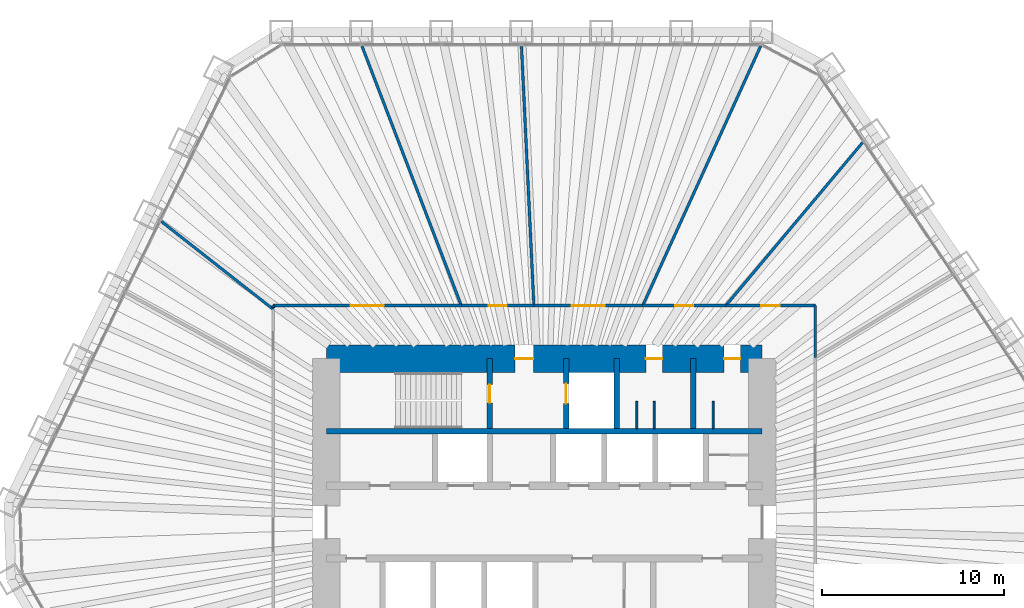
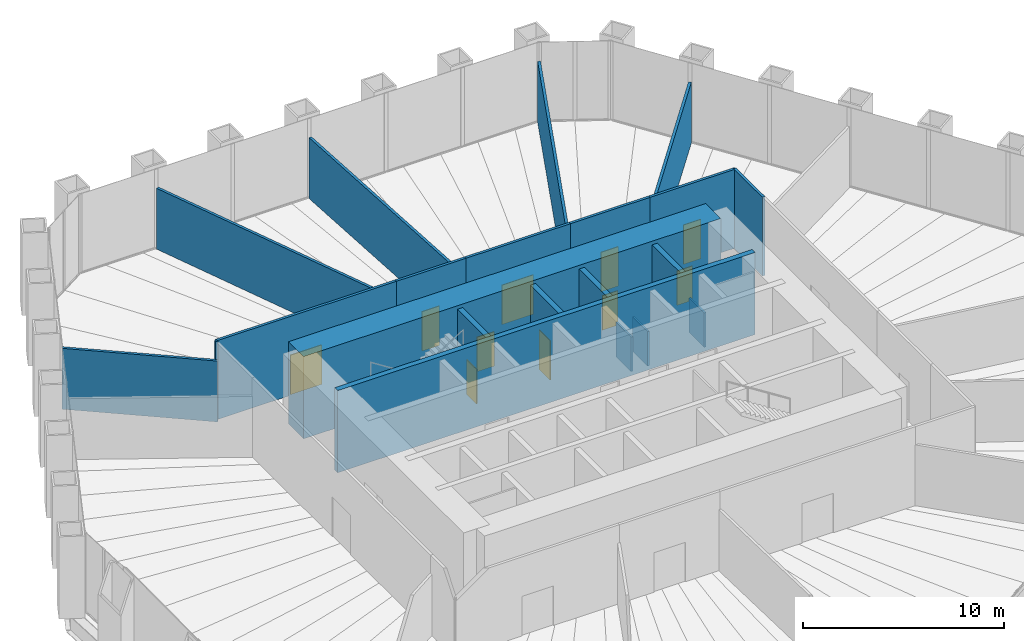
# One storey, part 12 of 14: 21 walls, 10 doors, 10 openings.
"""IFC4 building model written with IfcOpenShell, lengths in metres."""

from ifc_helpers import new_model, si_unit, direction, frame, frame_2d, origin, place, context, subcontext, project, spatial, rectangle, extrude, material, layer, layer_set, type_object, element, fill, save


model = new_model("IFC4")

# Units and contexts
model_context = context("Model", 3, precision=1e-05, world=origin(), true_north=direction((0.0, 1.0)))
body_context = subcontext(model_context, "Body", "Model", "MODEL_VIEW")
ifc_project = project(units=[si_unit("LENGTHUNIT", "METRE"), si_unit("AREAUNIT", "SQUARE_METRE"), si_unit("VOLUMEUNIT", "CUBIC_METRE"), si_unit("PLANEANGLEUNIT", "RADIAN"), si_unit("MASSUNIT", "GRAM", prefix="KILO")], contexts=[model_context])

# Site, building, storey
site_placement = place(None, origin())
site = spatial("IfcSite", under=ifc_project, at=site_placement, CompositionType="ELEMENT")
building_placement = place(site_placement, origin())
building = spatial("IfcBuilding", under=site, at=building_placement, Name="Qingtian Harvest Tower", CompositionType="ELEMENT")
storey_placement = place(building_placement, frame((0.0, 0.0, 52.0)))
storey = spatial("IfcBuildingStorey", under=building, at=storey_placement, Name="L10", CompositionType="ELEMENT", Elevation=52.0)

# Wall
ifc_material_1 = material(Name="Concrete fc' 70 MPa", Category="concrete")
ifc_layer_1 = layer(ifc_material_1, 0.300048828125)
ifc_layer_set_1 = layer_set([ifc_layer_1], Name="Core inner wall RC5 300")
wall_type_1 = type_object("IfcWallType", Name="Core inner wall RC5 300", PredefinedType="SHEAR", material=ifc_layer_set_1)
wall_1_placement = place(storey_placement, frame((-12.0, 5.0, 0.0), z_axis=(0.0, 0.0, 1.0), x_axis=(1.0, 0.0, 0.0)))
element("IfcWall", 1, at=wall_1_placement, inside=storey, type_object=wall_type_1, Name="Core wall IN5 L10", PredefinedType="SHEAR", context=body_context, shape_type="SweptSolid", body=[
    extrude(rectangle(XDim=24.0, YDim=0.300048828125, at=frame_2d((12.0, 0.0))), origin(), (0.0, 0.0, 1.0), 5.0),
])

# Wall, opening, door
ifc_material_2 = material(Name="Precast concrete shaft panel", Category="concrete")
ifc_layer_2 = layer(ifc_material_2, 0.300048828125)
ifc_layer_set_2 = layer_set([ifc_layer_2], Name="Core shaft partition SW1 300")
wall_type_2 = type_object("IfcWallType", Name="Core shaft partition SW1 300", PredefinedType="PARTITIONING", material=ifc_layer_set_2)
wall_2_placement = place(storey_placement, frame((-3.0, 5.14990234375, 0.0), z_axis=(0.0, 0.0, 1.0), x_axis=(0.0, 1.0, 0.0)))
wall_2 = element("IfcWall", 2, at=wall_2_placement, inside=storey, type_object=wall_type_2, Name="Core shaft partition XN1 L10", PredefinedType="PARTITIONING", context=body_context, shape_type="SweptSolid", body=[
    extrude(rectangle(XDim=3.85009765625, YDim=0.300048828125, at=frame_2d((1.925048828125, 0.0))), origin(), (0.0, 0.0, 1.0), 4.780029296875),
])
opening_1_placement = place(wall_2_placement, frame((1.425048828125, 0.0, 0.0)))
opening_1 = element("IfcOpeningElement", 3, at=opening_1_placement, cuts=wall_2, Name="Opening FD1", PredefinedType="OPENING", context=body_context, shape_type="SweptSolid", body=[
    extrude(rectangle(XDim=1.0, YDim=2.10009765625, at=frame_2d((0.5, 1.050048828125))), frame((0.0, 0.159912109375, 0.0), z_axis=(0.0, -1.0, 0.0), x_axis=(1.0, 0.0, 0.0)), (0.0, 0.0, 1.0), 0.320068359375),
])
ifc_material_3 = material(Name="Steel-faced door leaf", Category="steel")
door_type_1 = type_object("IfcDoorType", Name="Fire door FD1 single 1 HR", OperationType="SINGLE_SWING_LEFT", PredefinedType="DOOR", material=ifc_material_3)
door_1_placement = place(opening_1_placement, origin())
door_1 = element("IfcDoor", 4, at=door_1_placement, inside=storey, type_object=door_type_1, Name="S1 door L10", OperationType="SINGLE_SWING_RIGHT", OverallHeight=2.10009765625, OverallWidth=1.0, PredefinedType="DOOR", context=body_context, shape_type="SweptSolid", body=[
    extrude(rectangle(XDim=1.0, YDim=2.10009765625, at=frame_2d((0.5, 1.050048828125))), frame((0.0, 0.02490234375, 0.0), z_axis=(0.0, -1.0, 0.0), x_axis=(1.0, 0.0, 0.0)), (0.0, 0.0, 1.0), 0.050048828125),
])
fill(opening_1, door_1)

wall_3_placement = place(storey_placement, frame((1.199951171875, 5.14990234375, 0.0), z_axis=(0.0, 0.0, 1.0), x_axis=(0.0, 1.0, 0.0)))
wall_3 = element("IfcWall", 5, at=wall_3_placement, inside=storey, type_object=wall_type_2, Name="Core shaft partition XN2 L10", PredefinedType="PARTITIONING", context=body_context, shape_type="SweptSolid", body=[
    extrude(rectangle(XDim=3.85009765625, YDim=0.300048828125, at=frame_2d((1.925048828125, 0.0))), origin(), (0.0, 0.0, 1.0), 4.780029296875),
])
opening_2_placement = place(wall_3_placement, frame((1.375, 0.0, 0.0)))
opening_2 = element("IfcOpeningElement", 6, at=opening_2_placement, cuts=wall_3, Name="Opening LD1", PredefinedType="OPENING", context=body_context, shape_type="SweptSolid", body=[
    extrude(rectangle(XDim=1.10009765625, YDim=2.39990234375, at=frame_2d((0.550048828125, 1.199951171875))), frame((0.0, 0.159912109375, 0.0), z_axis=(0.0, -1.0, 0.0), x_axis=(1.0, 0.0, 0.0)), (0.0, 0.0, 1.0), 0.320068359375),
])
ifc_material_4 = material(Name="Stainless steel lift landing door", Category="steel")
door_type_2 = type_object("IfcDoorType", Name="Lift landing door LD1 1 HR", OperationType="DOUBLE_DOOR_SLIDING", PredefinedType="DOOR", material=ifc_material_4)
door_2_placement = place(opening_2_placement, origin())
door_2 = element("IfcDoor", 7, at=door_2_placement, inside=storey, type_object=door_type_2, Name="FL1 landing door L10", OperationType="DOUBLE_DOOR_SLIDING", OverallHeight=2.39990234375, OverallWidth=1.10009765625, PredefinedType="DOOR", context=body_context, shape_type="SweptSolid", body=[
    extrude(rectangle(XDim=1.10009765625, YDim=2.39990234375, at=frame_2d((0.550048828125, 1.199951171875))), frame((0.0, 0.02490234375, 0.0), z_axis=(0.0, -1.0, 0.0), x_axis=(1.0, 0.0, 0.0)), (0.0, 0.0, 1.0), 0.050048828125),
])
fill(opening_2, door_2)

# Walls
for number, where, z_axis, x_axis, name in (
    (8, (4.0, 5.14990234375, 0.0), (0.0, 0.0, 1.0), (0.0, 1.0, 0.0), "Core shaft partition XN3 L10"),
    (9, (8.199951171875, 5.14990234375, 0.0), (0.0, 0.0, 1.0), (0.0, 1.0, 0.0), "Core shaft partition XN4 L10"),
):
    element("IfcWall", number, at=place(storey_placement, frame(where, z_axis=z_axis, x_axis=x_axis)), inside=storey, type_object=wall_type_2, Name=name, PredefinedType="PARTITIONING", context=body_context, shape_type="SweptSolid", body=[
        extrude(rectangle(XDim=3.85009765625, YDim=0.300048828125, at=frame_2d((1.925048828125, 0.0))), origin(), (0.0, 0.0, 1.0), 4.780029296875),
    ])

# Wall, openings, doors
ifc_material_5 = material(Name="Concrete fc' 70 MPa", Category="concrete")
ifc_layer_3 = layer(ifc_material_5, 1.5)
ifc_layer_set_3 = layer_set([ifc_layer_3], Name="Core wall RC1 1500")
wall_type_3 = type_object("IfcWallType", Name="Core wall RC1 1500", PredefinedType="SHEAR", material=ifc_layer_set_3)
wall_4_placement = place(storey_placement, frame((-12.0, 9.0, 0.0), z_axis=(0.0, 0.0, 1.0), x_axis=(1.0, 0.0, 0.0)))
wall_4 = element("IfcWall", 10, at=wall_4_placement, inside=storey, type_object=wall_type_3, Name="Core wall CN L10", PredefinedType="SHEAR", context=body_context, shape_type="SweptSolid", body=[
    extrude(rectangle(XDim=24.0, YDim=1.5, at=frame_2d((12.0, 0.0))), origin(), (0.0, 0.0, 1.0), 5.0),
])
opening_3_placement = place(wall_4_placement, frame((10.39990234375, 0.0, 0.0)))
opening_3 = element("IfcOpeningElement", 11, at=opening_3_placement, cuts=wall_4, Name="Opening FD1", PredefinedType="OPENING", context=body_context, shape_type="SweptSolid", body=[
    extrude(rectangle(XDim=1.0, YDim=2.10009765625, at=frame_2d((0.5, 1.050048828125))), frame((0.0, 0.760009765625, 0.0), z_axis=(0.0, -1.0, 0.0), x_axis=(1.0, 0.0, 0.0)), (0.0, 0.0, 1.0), 1.52001953125),
])
opening_4_placement = place(wall_4_placement, frame((17.60009765625, 0.0, 0.0)))
opening_4 = element("IfcOpeningElement", 12, at=opening_4_placement, cuts=wall_4, Name="Opening D1", PredefinedType="OPENING", context=body_context, shape_type="SweptSolid", body=[
    extrude(rectangle(XDim=0.89990234375, YDim=2.10009765625, at=frame_2d((0.449951171875, 1.050048828125))), frame((0.0, 0.760009765625, 0.0), z_axis=(0.0, -1.0, 0.0), x_axis=(1.0, 0.0, 0.0)), (0.0, 0.0, 1.0), 1.52001953125),
])
opening_5_placement = place(wall_4_placement, frame((21.89990234375, 0.0, 0.0)))
opening_5 = element("IfcOpeningElement", 13, at=opening_5_placement, cuts=wall_4, Name="Opening D1", PredefinedType="OPENING", context=body_context, shape_type="SweptSolid", body=[
    extrude(rectangle(XDim=0.89990234375, YDim=2.10009765625, at=frame_2d((0.449951171875, 1.050048828125))), frame((0.0, 0.760009765625, 0.0), z_axis=(0.0, -1.0, 0.0), x_axis=(1.0, 0.0, 0.0)), (0.0, 0.0, 1.0), 1.52001953125),
])
door_3_placement = place(opening_3_placement, origin())
door_3 = element("IfcDoor", 14, at=door_3_placement, inside=storey, type_object=door_type_1, Name="V1 door L10", OperationType="SINGLE_SWING_RIGHT", OverallHeight=2.10009765625, OverallWidth=1.0, PredefinedType="DOOR", context=body_context, shape_type="SweptSolid", body=[
    extrude(rectangle(XDim=1.0, YDim=2.10009765625, at=frame_2d((0.5, 1.050048828125))), frame((0.0, 0.02490234375, 0.0), z_axis=(0.0, -1.0, 0.0), x_axis=(1.0, 0.0, 0.0)), (0.0, 0.0, 1.0), 0.050048828125),
])
fill(opening_3, door_3)
ifc_material_6 = material(Name="Laminated timber door leaf", Category="wood")
door_type_3 = type_object("IfcDoorType", Name="Toilet door D1 single", OperationType="SINGLE_SWING_LEFT", PredefinedType="DOOR", material=ifc_material_6)
door_4_placement = place(opening_4_placement, origin())
door_4 = element("IfcDoor", 15, at=door_4_placement, inside=storey, type_object=door_type_3, Name="WCM door L10", OperationType="SINGLE_SWING_LEFT", OverallHeight=2.10009765625, OverallWidth=0.89990234375, PredefinedType="DOOR", context=body_context, shape_type="SweptSolid", body=[
    extrude(rectangle(XDim=0.89990234375, YDim=2.10009765625, at=frame_2d((0.449951171875, 1.050048828125))), frame((0.0, 0.02490234375, 0.0), z_axis=(0.0, -1.0, 0.0), x_axis=(1.0, 0.0, 0.0)), (0.0, 0.0, 1.0), 0.050048828125),
])
fill(opening_4, door_4)
door_5_placement = place(opening_5_placement, origin())
door_5 = element("IfcDoor", 16, at=door_5_placement, inside=storey, type_object=door_type_3, Name="WCF door L10", OperationType="SINGLE_SWING_LEFT", OverallHeight=2.10009765625, OverallWidth=0.89990234375, PredefinedType="DOOR", context=body_context, shape_type="SweptSolid", body=[
    extrude(rectangle(XDim=0.89990234375, YDim=2.10009765625, at=frame_2d((0.449951171875, 1.050048828125))), frame((0.0, 0.02490234375, 0.0), z_axis=(0.0, -1.0, 0.0), x_axis=(1.0, 0.0, 0.0)), (0.0, 0.0, 1.0), 0.050048828125),
])
fill(opening_5, door_5)

# Walls
ifc_material_7 = material(Name="Gypsum board on steel studs", Category="steel")
ifc_layer_4 = layer(ifc_material_7, 0.14990234375)
ifc_layer_set_4 = layer_set([ifc_layer_4], Name="Partition PT1 150")
wall_type_4 = type_object("IfcWallType", Name="Partition PT1 150", PredefinedType="PARTITIONING", material=ifc_layer_set_4)
wall_5_placement = place(storey_placement, frame((-21.077392578125, 16.556640625, 0.0), z_axis=(0.0, 0.0, 1.0), x_axis=(0.78639413325, -0.617725074115, 0.0)))
element("IfcWall", 17, at=wall_5_placement, inside=storey, type_object=wall_type_4, Name="Packing room wall L10", PredefinedType="PARTITIONING", context=body_context, shape_type="SweptSolid", body=[
    extrude(rectangle(XDim=7.823486328125, YDim=0.14990234375, at=frame_2d((3.91162109375, 0.0))), origin(), (0.0, 0.0, 1.0), 3.699951171875),
])
wall_6_placement = place(storey_placement, frame((-14.925048828125, 11.819091796875, 0.0), z_axis=(0.0, 0.0, 1.0), x_axis=(0.0, 1.0, 0.0)))
element("IfcWall", 18, at=wall_6_placement, inside=storey, type_object=wall_type_4, Name="Packing room wall L10", PredefinedType="PARTITIONING", context=body_context, shape_type="SweptSolid", body=[
    extrude(rectangle(XDim=0.10595703125, YDim=0.14990234375, at=frame_2d((0.052978515625, 0.0))), origin(), (0.0, 0.0, 1.0), 4.800048828125),
])

# Wall, opening, door
wall_7_placement = place(storey_placement, frame((-14.925048828125, 11.925048828125, 0.0), z_axis=(0.0, 0.0, 1.0), x_axis=(1.0, 0.0, 0.0)))
wall_7 = element("IfcWall", 19, at=wall_7_placement, inside=storey, type_object=wall_type_4, Name="Packing room wall L10", PredefinedType="PARTITIONING", context=body_context, shape_type="SweptSolid", body=[
    extrude(rectangle(XDim=10.360595703125, YDim=0.14990234375, at=frame_2d((5.18017578125, 0.0))), origin(), (0.0, 0.0, 1.0), 4.800048828125),
])
opening_6_placement = place(wall_7_placement, frame((4.2802734375, 0.0, 0.0)))
opening_6 = element("IfcOpeningElement", 20, at=opening_6_placement, cuts=wall_7, Name="Opening D3", PredefinedType="OPENING", context=body_context, shape_type="SweptSolid", body=[
    extrude(rectangle(XDim=1.800048828125, YDim=2.39990234375, at=frame_2d((0.89990234375, 1.199951171875))), frame((0.0, 0.0849609375, 0.0), z_axis=(0.0, -1.0, 0.0), x_axis=(1.0, 0.0, 0.0)), (0.0, 0.0, 1.0), 0.169921875),
])
ifc_material_8 = material(Name="Laminated timber door leaf", Category="wood")
door_type_4 = type_object("IfcDoorType", Name="Room door D3 double", OperationType="DOUBLE_DOOR_DOUBLE_SWING", PredefinedType="DOOR", material=ifc_material_8)
door_6_placement = place(opening_6_placement, origin())
door_6 = element("IfcDoor", 21, at=door_6_placement, inside=storey, type_object=door_type_4, Name="Packing room door L10", OperationType="DOUBLE_DOOR_DOUBLE_SWING", OverallHeight=2.39990234375, OverallWidth=1.800048828125, PredefinedType="DOOR", context=body_context, shape_type="SweptSolid", body=[
    extrude(rectangle(XDim=1.800048828125, YDim=2.39990234375, at=frame_2d((0.89990234375, 1.199951171875))), frame((0.0, 0.02490234375, 0.0), z_axis=(0.0, -1.0, 0.0), x_axis=(1.0, 0.0, 0.0)), (0.0, 0.0, 1.0), 0.050048828125),
])
fill(opening_6, door_6)

# Wall
wall_8_placement = place(storey_placement, frame((-10.031005859375, 26.20654296875, 0.0), z_axis=(0.0, 0.0, 1.0), x_axis=(0.357478701909, -0.933921290946, 0.0)))
element("IfcWall", 22, at=wall_8_placement, inside=storey, type_object=wall_type_4, Name="Seed store wall L10", PredefinedType="PARTITIONING", context=body_context, shape_type="SweptSolid", body=[
    extrude(rectangle(XDim=15.2919921875, YDim=0.14990234375, at=frame_2d((7.64599609375, 0.0))), origin(), (0.0, 0.0, 1.0), 3.699951171875),
])

# Wall, opening, door
wall_9_placement = place(storey_placement, frame((-4.564453125, 11.925048828125, 0.0), z_axis=(0.0, 0.0, 1.0), x_axis=(1.0, 0.0, 0.0)))
wall_9 = element("IfcWall", 23, at=wall_9_placement, inside=storey, type_object=wall_type_4, Name="Seed store wall L10", PredefinedType="PARTITIONING", context=body_context, shape_type="SweptSolid", body=[
    extrude(rectangle(XDim=3.994140625, YDim=0.14990234375, at=frame_2d((1.9970703125, 0.0))), origin(), (0.0, 0.0, 1.0), 4.800048828125),
])
opening_7_placement = place(wall_9_placement, frame((1.4970703125, 0.0, 0.0)))
opening_7 = element("IfcOpeningElement", 24, at=opening_7_placement, cuts=wall_9, Name="Opening D2", PredefinedType="OPENING", context=body_context, shape_type="SweptSolid", body=[
    extrude(rectangle(XDim=1.0, YDim=2.39990234375, at=frame_2d((0.5, 1.199951171875))), frame((0.0, 0.0849609375, 0.0), z_axis=(0.0, -1.0, 0.0), x_axis=(1.0, 0.0, 0.0)), (0.0, 0.0, 1.0), 0.169921875),
])
ifc_material_9 = material(Name="Laminated timber door leaf", Category="wood")
door_type_5 = type_object("IfcDoorType", Name="Room door D2 single", OperationType="SINGLE_SWING_LEFT", PredefinedType="DOOR", material=ifc_material_9)
door_7_placement = place(opening_7_placement, origin())
door_7 = element("IfcDoor", 25, at=door_7_placement, inside=storey, type_object=door_type_5, Name="Seed store door L10", OperationType="SINGLE_SWING_LEFT", OverallHeight=2.39990234375, OverallWidth=1.0, PredefinedType="DOOR", context=body_context, shape_type="SweptSolid", body=[
    extrude(rectangle(XDim=1.0, YDim=2.39990234375, at=frame_2d((0.5, 1.199951171875))), frame((0.0, 0.02490234375, 0.0), z_axis=(0.0, -1.0, 0.0), x_axis=(1.0, 0.0, 0.0)), (0.0, 0.0, 1.0), 0.050048828125),
])
fill(opening_7, door_7)

# Wall
wall_10_placement = place(storey_placement, frame((-1.2529296875, 26.2001953125, 0.0), z_axis=(0.0, 0.0, 1.0), x_axis=(0.047763998943, -0.998858648861, 0.0)))
element("IfcWall", 26, at=wall_10_placement, inside=storey, type_object=wall_type_4, Name="Herb growing room wall L10", PredefinedType="PARTITIONING", context=body_context, shape_type="SweptSolid", body=[
    extrude(rectangle(XDim=14.29150390625, YDim=0.14990234375, at=frame_2d((7.145751953125, 0.0))), origin(), (0.0, 0.0, 1.0), 3.699951171875),
])

# Wall, opening, door
wall_11_placement = place(storey_placement, frame((-0.5703125, 11.925048828125, 0.0), z_axis=(0.0, 0.0, 1.0), x_axis=(1.0, 0.0, 0.0)))
wall_11 = element("IfcWall", 27, at=wall_11_placement, inside=storey, type_object=wall_type_4, Name="Herb growing room wall L10", PredefinedType="PARTITIONING", context=body_context, shape_type="SweptSolid", body=[
    extrude(rectangle(XDim=5.991455078125, YDim=0.14990234375, at=frame_2d((2.99560546875, 0.0))), origin(), (0.0, 0.0, 1.0), 4.800048828125),
])
opening_8_placement = place(wall_11_placement, frame((2.095703125, 0.0, 0.0)))
opening_8 = element("IfcOpeningElement", 28, at=opening_8_placement, cuts=wall_11, Name="Opening D3", PredefinedType="OPENING", context=body_context, shape_type="SweptSolid", body=[
    extrude(rectangle(XDim=1.800048828125, YDim=2.39990234375, at=frame_2d((0.89990234375, 1.199951171875))), frame((0.0, 0.0849609375, 0.0), z_axis=(0.0, -1.0, 0.0), x_axis=(1.0, 0.0, 0.0)), (0.0, 0.0, 1.0), 0.169921875),
])
door_8_placement = place(opening_8_placement, origin())
door_8 = element("IfcDoor", 29, at=door_8_placement, inside=storey, type_object=door_type_4, Name="Herb growing room door L10", OperationType="DOUBLE_DOOR_DOUBLE_SWING", OverallHeight=2.39990234375, OverallWidth=1.800048828125, PredefinedType="DOOR", context=body_context, shape_type="SweptSolid", body=[
    extrude(rectangle(XDim=1.800048828125, YDim=2.39990234375, at=frame_2d((0.89990234375, 1.199951171875))), frame((0.0, 0.02490234375, 0.0), z_axis=(0.0, -1.0, 0.0), x_axis=(1.0, 0.0, 0.0)), (0.0, 0.0, 1.0), 0.050048828125),
])
fill(opening_8, door_8)

# Wall
wall_12_placement = place(storey_placement, frame((11.914794921875, 26.208984375, 0.0), z_axis=(0.0, 0.0, 1.0), x_axis=(-0.4138533524, -0.910343563007, 0.0)))
element("IfcWall", 30, at=wall_12_placement, inside=storey, type_object=wall_type_4, Name="Dried herb store wall L10", PredefinedType="PARTITIONING", context=body_context, shape_type="SweptSolid", body=[
    extrude(rectangle(XDim=15.690673828125, YDim=0.14990234375, at=frame_2d((7.84521484375, 0.0))), origin(), (0.0, 0.0, 1.0), 3.699951171875),
])

# Wall, opening, door
wall_13_placement = place(storey_placement, frame((5.421142578125, 11.925048828125, 0.0), z_axis=(0.0, 0.0, 1.0), x_axis=(1.0, 0.0, 0.0)))
wall_13 = element("IfcWall", 31, at=wall_13_placement, inside=storey, type_object=wall_type_4, Name="Dried herb store wall L10", PredefinedType="PARTITIONING", context=body_context, shape_type="SweptSolid", body=[
    extrude(rectangle(XDim=4.577880859375, YDim=0.14990234375, at=frame_2d((2.2890625, 0.0))), origin(), (0.0, 0.0, 1.0), 4.800048828125),
])
opening_9_placement = place(wall_13_placement, frame((1.788818359375, 0.0, 0.0)))
opening_9 = element("IfcOpeningElement", 32, at=opening_9_placement, cuts=wall_13, Name="Opening D2", PredefinedType="OPENING", context=body_context, shape_type="SweptSolid", body=[
    extrude(rectangle(XDim=1.0, YDim=2.39990234375, at=frame_2d((0.5, 1.199951171875))), frame((0.0, 0.0849609375, 0.0), z_axis=(0.0, -1.0, 0.0), x_axis=(1.0, 0.0, 0.0)), (0.0, 0.0, 1.0), 0.169921875),
])
door_9_placement = place(opening_9_placement, origin())
door_9 = element("IfcDoor", 33, at=door_9_placement, inside=storey, type_object=door_type_5, Name="Dried herb store door L10", OperationType="SINGLE_SWING_RIGHT", OverallHeight=2.39990234375, OverallWidth=1.0, PredefinedType="DOOR", context=body_context, shape_type="SweptSolid", body=[
    extrude(rectangle(XDim=1.0, YDim=2.39990234375, at=frame_2d((0.5, 1.199951171875))), frame((0.0, 0.02490234375, 0.0), z_axis=(0.0, -1.0, 0.0), x_axis=(1.0, 0.0, 0.0)), (0.0, 0.0, 1.0), 0.050048828125),
])
fill(opening_9, door_9)

# Wall
wall_14_placement = place(storey_placement, frame((17.5166015625, 20.890625, 0.0), z_axis=(0.0, 0.0, 1.0), x_axis=(-0.642515050703, -0.766273064658, 0.0)))
element("IfcWall", 34, at=wall_14_placement, inside=storey, type_object=wall_type_4, Name="Mint growing room wall L10", PredefinedType="PARTITIONING", context=body_context, shape_type="SweptSolid", body=[
    extrude(rectangle(XDim=11.7001953125, YDim=0.14990234375, at=frame_2d((5.85009765625, 0.0))), origin(), (0.0, 0.0, 1.0), 3.699951171875),
])

# Wall, opening, door
wall_15_placement = place(storey_placement, frame((9.9990234375, 11.925048828125, 0.0), z_axis=(0.0, 0.0, 1.0), x_axis=(1.0, 0.0, 0.0)))
wall_15 = element("IfcWall", 35, at=wall_15_placement, inside=storey, type_object=wall_type_4, Name="Mint growing room wall L10", PredefinedType="PARTITIONING", context=body_context, shape_type="SweptSolid", body=[
    extrude(rectangle(XDim=4.926025390625, YDim=0.14990234375, at=frame_2d((2.462890625, 0.0))), origin(), (0.0, 0.0, 1.0), 4.800048828125),
])
opening_10_placement = place(wall_15_placement, frame((1.962890625, 0.0, 0.0)))
opening_10 = element("IfcOpeningElement", 36, at=opening_10_placement, cuts=wall_15, Name="Opening D2", PredefinedType="OPENING", context=body_context, shape_type="SweptSolid", body=[
    extrude(rectangle(XDim=1.0, YDim=2.39990234375, at=frame_2d((0.5, 1.199951171875))), frame((0.0, 0.0849609375, 0.0), z_axis=(0.0, -1.0, 0.0), x_axis=(1.0, 0.0, 0.0)), (0.0, 0.0, 1.0), 0.169921875),
])
door_10_placement = place(opening_10_placement, origin())
door_10 = element("IfcDoor", 37, at=door_10_placement, inside=storey, type_object=door_type_5, Name="Mint growing room door L10", OperationType="SINGLE_SWING_RIGHT", OverallHeight=2.39990234375, OverallWidth=1.0, PredefinedType="DOOR", context=body_context, shape_type="SweptSolid", body=[
    extrude(rectangle(XDim=1.0, YDim=2.39990234375, at=frame_2d((0.5, 1.199951171875))), frame((0.0, 0.02490234375, 0.0), z_axis=(0.0, -1.0, 0.0), x_axis=(1.0, 0.0, 0.0)), (0.0, 0.0, 1.0), 0.050048828125),
])
fill(opening_10, door_10)

# Walls
wall_16_placement = place(storey_placement, frame((14.925048828125, 11.925048828125, 0.0), z_axis=(0.0, 0.0, 1.0), x_axis=(0.0, -1.0, 0.0)))
element("IfcWall", 38, at=wall_16_placement, inside=storey, type_object=wall_type_4, Name="Mint growing room wall L10", PredefinedType="PARTITIONING", context=body_context, shape_type="SweptSolid", body=[
    extrude(rectangle(XDim=2.864013671875, YDim=0.14990234375, at=frame_2d((1.43212890625, 0.0))), origin(), (0.0, 0.0, 1.0), 4.800048828125),
])
ifc_material_10 = material(Name="Compact laminate cubicle partition", Category="plastic")
ifc_layer_5 = layer(ifc_material_10, 0.10009765625)
ifc_layer_set_5 = layer_set([ifc_layer_5], Name="WC cubicle partition WP1 100")
wall_type_5 = type_object("IfcWallType", Name="WC cubicle partition WP1 100", PredefinedType="PARTITIONING", material=ifc_layer_set_5)
for number, where, z_axis, x_axis, name in (
    (39, (5.10009765625, 5.14990234375, 0.0), (0.0, 0.0, 1.0), (0.0, 1.0, 0.0), "WC cubicle partition WCM L10"),
    (40, (6.050048828125, 5.14990234375, 0.0), (0.0, 0.0, 1.0), (0.0, 1.0, 0.0), "WC cubicle partition WCM L10"),
    (41, (9.300048828125, 5.14990234375, 0.0), (0.0, 0.0, 1.0), (0.0, 1.0, 0.0), "WC cubicle partition WCF L10"),
):
    element("IfcWall", number, at=place(storey_placement, frame(where, z_axis=z_axis, x_axis=x_axis)), inside=storey, type_object=wall_type_5, Name=name, PredefinedType="PARTITIONING", context=body_context, shape_type="SweptSolid", body=[
        extrude(rectangle(XDim=1.5, YDim=0.10009765625, at=frame_2d((0.75, 0.0))), origin(), (0.0, 0.0, 1.0), 2.10009765625),
    ])

save(model, "model.ifc")
